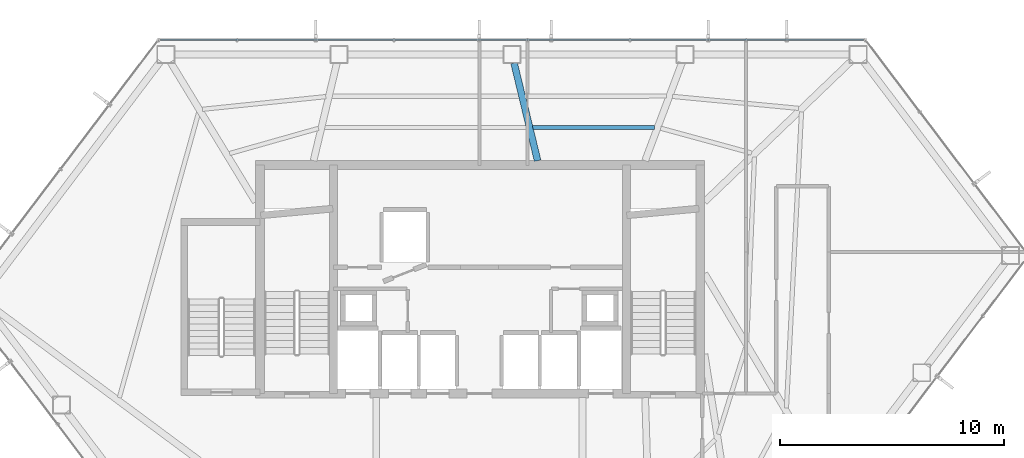
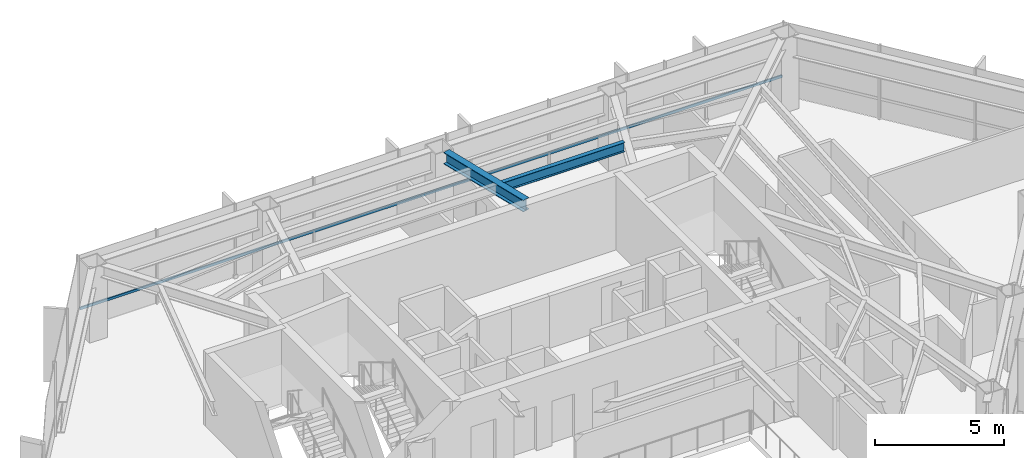
# One storey, part 15 of 28: 2 beams, 1 member, 1 element without a shape of its own.
"""IFC4 building model written with IfcOpenShell, lengths in metres."""

from ifc_helpers import new_model, si_unit, direction, frame, origin, origin_2d, place, context, subcontext, project, spatial, hollow_rectangle, i_section, extrude, material, layer, layer_set, material_profile, profile_set, type_object, element, aggregate, save


model = new_model("IFC4")

# Units and contexts
model_context = context("Model", 3, precision=1e-05, world=origin(), true_north=direction((0.0, 1.0)))
body_context = subcontext(model_context, "Body", "Model", "MODEL_VIEW")
ifc_project = project(units=[si_unit("LENGTHUNIT", "METRE"), si_unit("AREAUNIT", "SQUARE_METRE"), si_unit("VOLUMEUNIT", "CUBIC_METRE"), si_unit("PLANEANGLEUNIT", "RADIAN"), si_unit("MASSUNIT", "GRAM", prefix="KILO")], contexts=[model_context])

# Site, building, storey
site_placement = place(None, origin())
site = spatial("IfcSite", under=ifc_project, at=site_placement, CompositionType="ELEMENT")
building_placement = place(site_placement, origin())
building = spatial("IfcBuilding", under=site, at=building_placement, Name="Zarrinselat Tower", CompositionType="ELEMENT")
storey_placement = place(building_placement, frame((0.0, 0.0, 145.860107421875)))
storey = spatial("IfcBuildingStorey", under=building, at=storey_placement, Name="L35", CompositionType="ELEMENT", Elevation=145.860107421875)

# Beams
ifc_material_1 = material(Name="Steel S355J2", Category="steel")
ifc_material_profile_1 = material_profile(ifc_material_1, i_section(OverallWidth=0.300048828125, OverallDepth=0.550048828125, WebThickness=0.014892578125, FlangeThickness=0.029052734375, at=origin_2d()), Name="HEB 550")
ifc_profile_set_1 = profile_set([ifc_material_profile_1], Name="Steel S355J2")
beam_type_1 = type_object("IfcBeamType", Name="BM-HEB550", PredefinedType="BEAM", material=ifc_profile_set_1)
beam_1_placement = place(storey_placement, frame((39.951416015625, 47.992431640625, 3.224853515625), z_axis=(0.23421228581, -0.972185478793, 0.0), x_axis=(0.972185478793, 0.23421228581, 0.0)))
element("IfcBeam", 1, at=beam_1_placement, inside=storey, type_object=beam_type_1, Name="L35 Radial Primary Girder RG03", PredefinedType="BEAM", context=body_context, shape_type="SweptSolid", body=[
    extrude(i_section(OverallWidth=0.300048828125, OverallDepth=0.550048828125, WebThickness=0.014892578125, FlangeThickness=0.029052734375, at=origin_2d()), origin(), (0.0, 0.0, 1.0), 4.47705078125),
])
ifc_material_2 = material(Name="Steel S355J2", Category="steel")
ifc_material_profile_2 = material_profile(ifc_material_2, i_section(OverallWidth=0.18994140625, OverallDepth=0.449951171875, WebThickness=0.009521484375, FlangeThickness=0.0146484375, at=origin_2d()), Name="IPE 450")
ifc_profile_set_2 = profile_set([ifc_material_profile_2], Name="Steel S355J2")
beam_type_2 = type_object("IfcBeamType", Name="BM-IPE450", PredefinedType="JOIST", material=ifc_profile_set_2)
beam_2_placement = place(storey_placement, frame((40.783447265625, 45.1201171875, 3.27490234375), z_axis=(0.99999963576, 0.000853510313, 0.0), x_axis=(-0.000853510313, 0.99999963576, 0.0)))
element("IfcBeam", 2, at=beam_2_placement, inside=storey, type_object=beam_type_2, Name="L35 Composite Floor Joist 7-2", PredefinedType="JOIST", context=body_context, shape_type="SweptSolid", body=[
    extrude(i_section(OverallWidth=0.18994140625, OverallDepth=0.449951171875, WebThickness=0.009521484375, FlangeThickness=0.0146484375, at=origin_2d()), origin(), (0.0, 0.0, 1.0), 5.434814453125),
])

# Curtain wall, member
ifc_material_3 = material(Name="Extruded Aluminium Alloy EN AW-6063 T6", Category="aluminium")
ifc_layer = layer(ifc_material_3, 0.175048828125)
ifc_layer_set = layer_set([ifc_layer], Name="Extruded Aluminium Alloy EN AW-6063 T6")
curtain_wall_type = type_object("IfcCurtainWallType", Name="CWS-HTL", PredefinedType="NOTDEFINED", material=ifc_layer_set)
curtain_wall_placement = place(storey_placement, origin())
curtain_wall = element("IfcCurtainWall", 3, at=curtain_wall_placement, inside=storey, type_object=curtain_wall_type, Name="L35 Unitised Curtain Wall CW-L35-E01", PredefinedType="NOTDEFINED")
ifc_material_4 = material(Name="Extruded Aluminium Alloy EN AW-6063 T6", Category="aluminium")
ifc_material_profile_3 = material_profile(ifc_material_4, hollow_rectangle(XDim=0.06005859375, YDim=0.1201171875, WallThickness=0.00390625, at=origin_2d()), Name="RHS 120x60x4")
ifc_profile_set_3 = profile_set([ifc_material_profile_3], Name="Extruded Aluminium Alloy EN AW-6063 T6")
member_type = type_object("IfcMemberType", Name="MEM-CW-TRN2", PredefinedType="USERDEFINED", material=ifc_profile_set_3)
member_placement = place(storey_placement, frame((55.542724609375, 49.033203125, 0.949951171875), z_axis=(-1.0, 0.0, 0.0), x_axis=(0.0, -1.0, 0.0)))
member = element("IfcMember", 4, at=member_placement, type_object=member_type, Name="CW-L35-E01 Transom 1", ObjectType="TRANSOM", PredefinedType="USERDEFINED", context=body_context, shape_type="SweptSolid", body=[
    extrude(hollow_rectangle(XDim=0.06005859375, YDim=0.1201171875, WallThickness=0.00390625, at=origin_2d()), origin(), (0.0, 0.0, 1.0), 31.370849609375),
])
aggregate(curtain_wall, [member])

save(model, "model.ifc")
